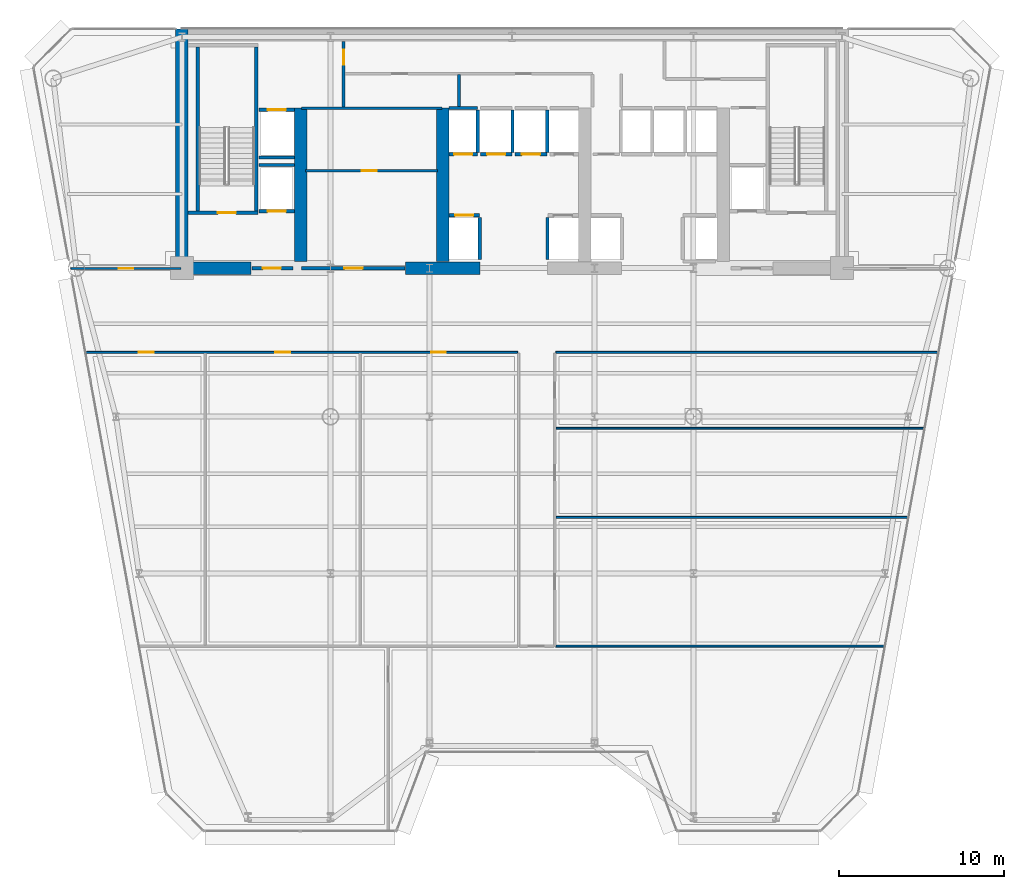
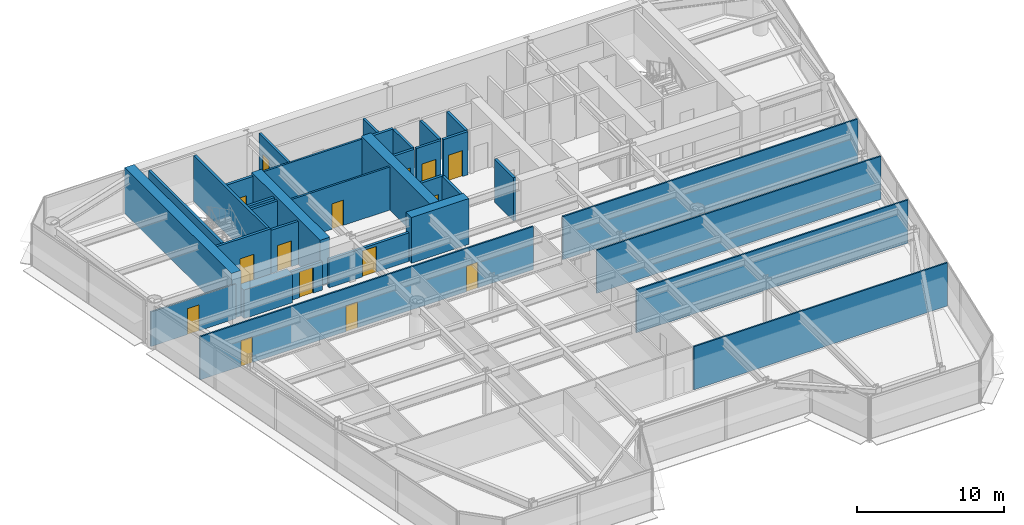
# One storey, part 8 of 14: 34 walls, 15 doors, 15 openings.
"""IFC4 building model written with IfcOpenShell, lengths in metres."""

from ifc_helpers import new_model, si_unit, direction, frame, frame_2d, origin, place, context, subcontext, project, spatial, rectangle, extrude, source, transform, mapped, material, layer, layer_set, type_object, element, fill, save


model = new_model("IFC4")

# Units and contexts
model_context = context("Model", 3, precision=1e-05, world=origin(), true_north=direction((0.0, 1.0)))
body_context = subcontext(model_context, "Body", "Model", "MODEL_VIEW")
ifc_project = project(units=[si_unit("LENGTHUNIT", "METRE"), si_unit("AREAUNIT", "SQUARE_METRE"), si_unit("VOLUMEUNIT", "CUBIC_METRE"), si_unit("PLANEANGLEUNIT", "RADIAN"), si_unit("MASSUNIT", "GRAM", prefix="KILO")], contexts=[model_context])

# Site, building, storey
site_placement = place(None, origin())
site = spatial("IfcSite", under=ifc_project, at=site_placement, CompositionType="ELEMENT")
building_placement = place(site_placement, origin())
building = spatial("IfcBuilding", under=site, at=building_placement, Name="Vaeldorn Concourse Tower", CompositionType="ELEMENT")
storey_placement = place(building_placement, frame((0.0, 0.0, 107.199951171875)))
storey = spatial("IfcBuildingStorey", under=building, at=storey_placement, Name="L27", CompositionType="ELEMENT", Elevation=107.199951171875)

# Walls
ifc_material_1 = material(Name="Concrete C60/75", Category="concrete")
ifc_layer_1 = layer(ifc_material_1, 0.75)
ifc_layer_set_1 = layer_set([ifc_layer_1], Name="Concrete C60/75")
wall_type_1 = type_object("IfcWallType", Name="WL-CORE-750", PredefinedType="SHEAR", material=ifc_layer_set_1)
wall_1_placement = place(storey_placement, frame((14.0, 36.5, 0.0), z_axis=(0.0, 0.0, 1.0), x_axis=(0.0, 1.0, 0.0)))
element("IfcWall", 1, at=wall_1_placement, inside=storey, type_object=wall_type_1, Name="Rear Core Shear Wall L27 W1", PredefinedType="SHEAR", context=body_context, shape_type="SweptSolid", body=[
    extrude(rectangle(XDim=14.5, YDim=0.75, at=frame_2d((7.25, 0.0))), origin(), (0.0, 0.0, 1.0), 3.800048828125),
])
wall_2_placement = place(storey_placement, frame((14.39501953125, 36.5, 0.0), z_axis=(0.0, 0.0, 1.0), x_axis=(1.0, 0.0, 0.0)))
element("IfcWall", 2, at=wall_2_placement, inside=storey, type_object=wall_type_1, Name="Rear Core Shear Wall L27 S1", PredefinedType="SHEAR", context=body_context, shape_type="SweptSolid", body=[
    extrude(rectangle(XDim=3.804931640625, YDim=0.75, at=frame_2d((1.90234375, 0.0))), origin(), (0.0, 0.0, 1.0), 2.380126953125),
])
wall_3_placement = place(storey_placement, frame((27.550048828125, 36.5, 0.0), z_axis=(0.0, 0.0, 1.0), x_axis=(1.0, 0.0, 0.0)))
element("IfcWall", 3, at=wall_3_placement, inside=storey, type_object=wall_type_1, Name="Rear Core Shear Wall L27 S2", PredefinedType="SHEAR", context=body_context, shape_type="SweptSolid", body=[
    extrude(rectangle(XDim=4.5, YDim=0.75, at=frame_2d((2.25, 0.0))), origin(), (0.0, 0.0, 1.0), 3.800048828125),
])
for number, where, z_axis, x_axis, name in (
    (4, (21.199951171875, 36.89501953125, 0.0), (0.0, 0.0, 1.0), (0.0, 1.0, 0.0), "Rear Core Shear Wall L27 M1"),
    (5, (29.800048828125, 36.89501953125, 0.0), (0.0, 0.0, 1.0), (0.0, 1.0, 0.0), "Rear Core Shear Wall L27 M2"),
):
    element("IfcWall", number, at=place(storey_placement, frame(where, z_axis=z_axis, x_axis=x_axis)), inside=storey, type_object=wall_type_1, Name=name, PredefinedType="SHEAR", context=body_context, shape_type="SweptSolid", body=[
        extrude(rectangle(XDim=9.304931640625, YDim=0.75, at=frame_2d((4.65234375, 0.0))), origin(), (0.0, 0.0, 1.0), 3.800048828125),
    ])

# Wall, openings, doors
ifc_material_2 = material(Name="Gypsum Board Partition", Category="gypsum")
ifc_layer_2 = layer(ifc_material_2, 0.1201171875)
ifc_layer_set_2 = layer_set([ifc_layer_2], Name="Gypsum Board Partition")
wall_type_2 = type_object("IfcWallType", Name="WL-PART-120", PredefinedType="PARTITIONING", material=ifc_layer_set_2)
wall_4_placement = place(storey_placement, frame((8.19287109375, 31.39990234375, 0.0), z_axis=(0.0, 0.0, 1.0), x_axis=(1.0, 0.0, 0.0)))
wall_4 = element("IfcWall", 6, at=wall_4_placement, inside=storey, type_object=wall_type_2, Name="Interior Wall PW-L27-C2SW", PredefinedType="PARTITIONING", context=body_context, shape_type="SweptSolid", body=[
    extrude(rectangle(XDim=26.147216796875, YDim=0.1201171875, at=frame_2d((13.07373046875, 0.0))), origin(), (0.0, 0.0, 1.0), 3.580078125),
])
opening_1_placement = place(wall_4_placement, frame((3.2041015625, 0.0, 0.0)))
opening_1 = element("IfcOpeningElement", 7, at=opening_1_placement, cuts=wall_4, Name="Opening D-03", PredefinedType="OPENING", context=body_context, shape_type="SweptSolid", body=[
    extrude(rectangle(XDim=0.89990234375, YDim=2.14990234375, at=frame_2d((0.449951171875, 1.074951171875))), frame((0.0, 0.070068359375, 0.0), z_axis=(0.0, -1.0, 0.0), x_axis=(1.0, 0.0, 0.0)), (0.0, 0.0, 1.0), 0.14013671875),
])
opening_2_placement = place(wall_4_placement, frame((11.45703125, 0.0, 0.0)))
opening_2 = element("IfcOpeningElement", 8, at=opening_2_placement, cuts=wall_4, Name="Opening D-03", PredefinedType="OPENING", context=body_context, shape_type="SweptSolid", body=[
    extrude(rectangle(XDim=0.89990234375, YDim=2.14990234375, at=frame_2d((0.449951171875, 1.074951171875))), frame((0.0, 0.070068359375, 0.0), z_axis=(0.0, -1.0, 0.0), x_axis=(1.0, 0.0, 0.0)), (0.0, 0.0, 1.0), 0.14013671875),
])
opening_3_placement = place(wall_4_placement, frame((20.906982421875, 0.0, 0.0)))
opening_3 = element("IfcOpeningElement", 9, at=opening_3_placement, cuts=wall_4, Name="Opening D-03", PredefinedType="OPENING", context=body_context, shape_type="SweptSolid", body=[
    extrude(rectangle(XDim=0.89990234375, YDim=2.14990234375, at=frame_2d((0.449951171875, 1.074951171875))), frame((0.0, 0.070068359375, 0.0), z_axis=(0.0, -1.0, 0.0), x_axis=(1.0, 0.0, 0.0)), (0.0, 0.0, 1.0), 0.14013671875),
])
ifc_material_3 = material(Name="Acoustic Bronze-Framed Glass Door", Category="glass")
door_type_1 = type_object("IfcDoorType", Name="DR-INT-900", OperationType="NOTDEFINED", PredefinedType="DOOR", material=ifc_material_3)
shared_shape_1 = source(origin(), body_context, "Body", "SweptSolid", [
    extrude(rectangle(XDim=0.89990234375, YDim=2.14990234375, at=frame_2d((0.449951171875, 1.074951171875))), frame((0.0, 0.02490234375, 0.0), z_axis=(0.0, -1.0, 0.0), x_axis=(1.0, 0.0, 0.0)), (0.0, 0.0, 1.0), 0.050048828125),
])
door_1_placement = place(opening_1_placement, origin())
door_1 = element("IfcDoor", 10, at=door_1_placement, inside=storey, type_object=door_type_1, Name="Interior Door DR-L27-Z2W1", OperationType="SINGLE_SWING_LEFT", OverallHeight=2.14990234375, OverallWidth=0.89990234375, PredefinedType="DOOR", context=body_context, shape_type="MappedRepresentation", body=[
    mapped(shared_shape_1, transform((0.0, 0.0, 0.0), scale=1.0)),
])
fill(opening_1, door_1)
door_2_placement = place(opening_2_placement, origin())
door_2 = element("IfcDoor", 11, at=door_2_placement, inside=storey, type_object=door_type_1, Name="Interior Door DR-L27-Z2W2", OperationType="SINGLE_SWING_RIGHT", OverallHeight=2.14990234375, OverallWidth=0.89990234375, PredefinedType="DOOR", context=body_context, shape_type="MappedRepresentation", body=[
    mapped(shared_shape_1, transform((0.0, 0.0, 0.0), scale=1.0)),
])
fill(opening_2, door_2)
door_3_placement = place(opening_3_placement, origin())
door_3 = element("IfcDoor", 12, at=door_3_placement, inside=storey, type_object=door_type_1, Name="Interior Door DR-L27-Z2W3", OperationType="SINGLE_SWING_LEFT", OverallHeight=2.14990234375, OverallWidth=0.89990234375, PredefinedType="DOOR", context=body_context, shape_type="MappedRepresentation", body=[
    mapped(shared_shape_1, transform((0.0, 0.0, 0.0), scale=1.0)),
])
fill(opening_3, door_3)

# Wall
wall_5_placement = place(storey_placement, frame((36.659912109375, 31.39990234375, 0.0), z_axis=(0.0, 0.0, 1.0), x_axis=(1.0, 0.0, 0.0)))
element("IfcWall", 13, at=wall_5_placement, inside=storey, type_object=wall_type_2, Name="Interior Wall PW-L27-C2SE", PredefinedType="PARTITIONING", context=body_context, shape_type="SweptSolid", body=[
    extrude(rectangle(XDim=23.147216796875, YDim=0.1201171875, at=frame_2d((11.57373046875, 0.0))), origin(), (0.0, 0.0, 1.0), 3.580078125),
])

# Wall, opening, door
wall_6_placement = place(storey_placement, frame((7.2724609375, 36.47998046875, 0.0), z_axis=(0.0, 0.0, 1.0), x_axis=(1.0, 0.0, 0.0)))
wall_6 = element("IfcWall", 14, at=wall_6_placement, inside=storey, type_object=wall_type_2, Name="Interior Wall PW-L27-NWS", PredefinedType="PARTITIONING", context=body_context, shape_type="SweptSolid", body=[
    extrude(rectangle(XDim=6.66748046875, YDim=0.1201171875, at=frame_2d((3.333740234375, 0.0))), origin(), (0.0, 0.0, 1.0), 2.8701171875),
])
opening_4_placement = place(wall_6_placement, frame((2.884033203125, 0.0, 0.0)))
opening_4 = element("IfcOpeningElement", 15, at=opening_4_placement, cuts=wall_6, Name="Opening D-03", PredefinedType="OPENING", context=body_context, shape_type="SweptSolid", body=[
    extrude(rectangle(XDim=0.89990234375, YDim=2.14990234375, at=frame_2d((0.449951171875, 1.074951171875))), frame((0.0, 0.070068359375, 0.0), z_axis=(0.0, -1.0, 0.0), x_axis=(1.0, 0.0, 0.0)), (0.0, 0.0, 1.0), 0.14013671875),
])
door_4_placement = place(opening_4_placement, origin())
door_4 = element("IfcDoor", 16, at=door_4_placement, inside=storey, type_object=door_type_1, Name="Interior Door DR-L27-NWC", OperationType="SINGLE_SWING_LEFT", OverallHeight=2.14990234375, OverallWidth=0.89990234375, PredefinedType="DOOR", context=body_context, shape_type="MappedRepresentation", body=[
    mapped(shared_shape_1, transform((0.0, 0.0, 0.0), scale=1.0)),
])
fill(opening_4, door_4)

# Walls
wall_7_placement = place(storey_placement, frame((36.659912109375, 13.60009765625, 0.0), z_axis=(0.0, 0.0, 1.0), x_axis=(1.0, 0.0, 0.0)))
element("IfcWall", 17, at=wall_7_placement, inside=storey, type_object=wall_type_2, Name="Interior Wall PW-L27-S2EL", PredefinedType="PARTITIONING", context=body_context, shape_type="SweptSolid", body=[
    extrude(rectangle(XDim=19.9033203125, YDim=0.1201171875, at=frame_2d((9.95166015625, 0.0))), origin(), (0.0, 0.0, 1.0), 3.580078125),
])
wall_8_placement = place(storey_placement, frame((36.659912109375, 21.39990234375, 0.0), z_axis=(0.0, 0.0, 1.0), x_axis=(1.0, 0.0, 0.0)))
element("IfcWall", 18, at=wall_8_placement, inside=storey, type_object=wall_type_2, Name="Interior Wall PW-L27-Z2EY1", PredefinedType="PARTITIONING", context=body_context, shape_type="SweptSolid", body=[
    extrude(rectangle(XDim=21.32470703125, YDim=0.1201171875, at=frame_2d((10.662353515625, 0.0))), origin(), (0.0, 0.0, 1.0), 3.580078125),
])
wall_9_placement = place(storey_placement, frame((36.659912109375, 26.800048828125, 0.0), z_axis=(0.0, 0.0, 1.0), x_axis=(1.0, 0.0, 0.0)))
element("IfcWall", 19, at=wall_9_placement, inside=storey, type_object=wall_type_2, Name="Interior Wall PW-L27-Z2EY2", PredefinedType="PARTITIONING", context=body_context, shape_type="SweptSolid", body=[
    extrude(rectangle(XDim=22.308837890625, YDim=0.1201171875, at=frame_2d((11.154296875, 0.0))), origin(), (0.0, 0.0, 1.0), 3.580078125),
])
ifc_layer_3 = layer(ifc_material_2, 0.14990234375)
ifc_layer_set_3 = layer_set([ifc_layer_3], Name="Gypsum Board Partition")
wall_type_3 = type_object("IfcWallType", Name="WL-PART-150", PredefinedType="PARTITIONING", material=ifc_layer_set_3)
wall_10_placement = place(storey_placement, frame((21.25, 46.199951171875, 0.0), z_axis=(0.0, 0.0, 1.0), x_axis=(1.0, 0.0, 0.0)))
element("IfcWall", 20, at=wall_10_placement, inside=storey, type_object=wall_type_3, Name="Interior Wall CW-L27-R1N", PredefinedType="PARTITIONING", context=body_context, shape_type="SweptSolid", body=[
    extrude(rectangle(XDim=8.5, YDim=0.14990234375, at=frame_2d((4.25, 0.0))), origin(), (0.0, 0.0, 1.0), 3.580078125),
])

# Wall, opening, door
wall_11_placement = place(storey_placement, frame((21.5, 42.39990234375, 0.0), z_axis=(0.0, 0.0, 1.0), x_axis=(1.0, 0.0, 0.0)))
wall_11 = element("IfcWall", 21, at=wall_11_placement, inside=storey, type_object=wall_type_3, Name="Interior Wall CW-L27-R1M", PredefinedType="PARTITIONING", context=body_context, shape_type="SweptSolid", body=[
    extrude(rectangle(XDim=8.0, YDim=0.14990234375, at=frame_2d((4.0, 0.0))), origin(), (0.0, 0.0, 1.0), 3.580078125),
])
opening_5_placement = place(wall_11_placement, frame((3.39990234375, 0.0, 0.0)))
opening_5 = element("IfcOpeningElement", 22, at=opening_5_placement, cuts=wall_11, Name="Opening D-02", PredefinedType="OPENING", context=body_context, shape_type="SweptSolid", body=[
    extrude(rectangle(XDim=0.89990234375, YDim=2.10009765625, at=frame_2d((0.449951171875, 1.050048828125))), frame((0.0, 0.0849609375, 0.0), z_axis=(0.0, -1.0, 0.0), x_axis=(1.0, 0.0, 0.0)), (0.0, 0.0, 1.0), 0.169921875),
])
ifc_material_4 = material(Name="Fire-Rated Timber Leaf", Category="wood")
door_type_2 = type_object("IfcDoorType", Name="DR-FD30-900", OperationType="NOTDEFINED", PredefinedType="DOOR", material=ifc_material_4)
shared_shape_2 = source(origin(), body_context, "Body", "SweptSolid", [
    extrude(rectangle(XDim=0.89990234375, YDim=2.10009765625, at=frame_2d((0.449951171875, 1.050048828125))), frame((0.0, 0.02490234375, 0.0), z_axis=(0.0, -1.0, 0.0), x_axis=(1.0, 0.0, 0.0)), (0.0, 0.0, 1.0), 0.050048828125),
])
door_5_placement = place(opening_5_placement, origin())
door_5 = element("IfcDoor", 23, at=door_5_placement, inside=storey, type_object=door_type_2, Name="Interior Door DR-L27-R1M", OperationType="SINGLE_SWING_RIGHT", OverallHeight=2.10009765625, OverallWidth=0.89990234375, PredefinedType="DOOR", context=body_context, shape_type="MappedRepresentation", body=[
    mapped(shared_shape_2, transform((0.0, 0.0, 0.0), scale=1.0)),
])
fill(opening_5, door_5)

ifc_layer_4 = layer(ifc_material_2, 0.179931640625)
ifc_layer_set_4 = layer_set([ifc_layer_4], Name="Gypsum Board Partition")
wall_type_4 = type_object("IfcWallType", Name="WL-PLUMB-180", PredefinedType="PLUMBINGWALL", material=ifc_layer_set_4)
wall_12_placement = place(storey_placement, frame((23.800048828125, 46.280029296875, 0.0), z_axis=(0.0, 0.0, 1.0), x_axis=(0.0, 1.0, 0.0)))
wall_12 = element("IfcWall", 24, at=wall_12_placement, inside=storey, type_object=wall_type_4, Name="Interior Wall CW-L27-SDIV1", PredefinedType="PLUMBINGWALL", context=body_context, shape_type="SweptSolid", body=[
    extrude(rectangle(XDim=3.949951171875, YDim=0.179931640625, at=frame_2d((1.97509765625, 0.0))), origin(), (0.0, 0.0, 1.0), 3.580078125),
])
opening_6_placement = place(wall_12_placement, frame((2.56005859375, 0.0, 0.0)))
opening_6 = element("IfcOpeningElement", 25, at=opening_6_placement, cuts=wall_12, Name="Opening D-03", PredefinedType="OPENING", context=body_context, shape_type="SweptSolid", body=[
    extrude(rectangle(XDim=0.89990234375, YDim=2.14990234375, at=frame_2d((0.449951171875, 1.074951171875))), frame((0.0, 0.10009765625, 0.0), z_axis=(0.0, -1.0, 0.0), x_axis=(1.0, 0.0, 0.0)), (0.0, 0.0, 1.0), 0.199951171875),
])
door_6_placement = place(opening_6_placement, origin())
door_6 = element("IfcDoor", 26, at=door_6_placement, inside=storey, type_object=door_type_1, Name="Interior Door DR-L27-CS1", OperationType="SINGLE_SWING_LEFT", OverallHeight=2.14990234375, OverallWidth=0.89990234375, PredefinedType="DOOR", context=body_context, shape_type="MappedRepresentation", body=[
    mapped(shared_shape_1, transform((0.0, 0.0, 0.0), scale=1.0)),
])
fill(opening_6, door_6)

# Wall
wall_13_placement = place(storey_placement, frame((30.800048828125, 46.280029296875, 0.0), z_axis=(0.0, 0.0, 1.0), x_axis=(0.0, 1.0, 0.0)))
element("IfcWall", 27, at=wall_13_placement, inside=storey, type_object=wall_type_4, Name="Interior Wall CW-L27-SDIV2", PredefinedType="PLUMBINGWALL", context=body_context, shape_type="SweptSolid", body=[
    extrude(rectangle(XDim=1.93994140625, YDim=0.179931640625, at=frame_2d((0.969970703125, 0.0))), origin(), (0.0, 0.0, 1.0), 3.580078125),
])

# Wall, opening, door
ifc_material_5 = material(Name="Concrete C50/60", Category="concrete")
ifc_layer_5 = layer(ifc_material_5, 0.199951171875)
ifc_layer_set_5 = layer_set([ifc_layer_5], Name="Concrete C50/60")
wall_type_5 = type_object("IfcWallType", Name="WL-SHAFT-200", PredefinedType="SOLIDWALL", material=ifc_layer_set_5)
wall_14_placement = place(storey_placement, frame((14.375, 39.85009765625, 0.0), z_axis=(0.0, 0.0, 1.0), x_axis=(1.0, 0.0, 0.0)))
wall_14 = element("IfcWall", 28, at=wall_14_placement, inside=storey, type_object=wall_type_5, Name="Stair Shaft Wall CW-L27-ST-1-S", PredefinedType="SOLIDWALL", context=body_context, shape_type="SweptSolid", body=[
    extrude(rectangle(XDim=4.22509765625, YDim=0.199951171875, at=frame_2d((2.112548828125, 0.0))), origin(), (0.0, 0.0, 1.0), 3.800048828125),
])
opening_7_placement = place(wall_14_placement, frame((1.800048828125, 0.0, 0.0)))
opening_7 = element("IfcOpeningElement", 29, at=opening_7_placement, cuts=wall_14, Name="Opening D-01", PredefinedType="OPENING", context=body_context, shape_type="SweptSolid", body=[
    extrude(rectangle(XDim=1.10009765625, YDim=2.14990234375, at=frame_2d((0.550048828125, 1.074951171875))), frame((0.0, 0.10986328125, 0.0), z_axis=(0.0, -1.0, 0.0), x_axis=(1.0, 0.0, 0.0)), (0.0, 0.0, 1.0), 0.219970703125),
])
ifc_material_6 = material(Name="Fire-Rated Timber and Steel Leaf", Category="steel")
door_type_3 = type_object("IfcDoorType", Name="DR-FD60-1100", OperationType="NOTDEFINED", PredefinedType="DOOR", material=ifc_material_6)
shared_shape_3 = source(origin(), body_context, "Body", "SweptSolid", [
    extrude(rectangle(XDim=1.10009765625, YDim=2.14990234375, at=frame_2d((0.550048828125, 1.074951171875))), frame((0.0, 0.02490234375, 0.0), z_axis=(0.0, -1.0, 0.0), x_axis=(1.0, 0.0, 0.0)), (0.0, 0.0, 1.0), 0.050048828125),
])
door_7_placement = place(opening_7_placement, origin())
door_7 = element("IfcDoor", 30, at=door_7_placement, inside=storey, type_object=door_type_3, Name="Interior Door DR-L27-ST-1", OperationType="SINGLE_SWING_LEFT", OverallHeight=2.14990234375, OverallWidth=1.10009765625, PredefinedType="DOOR", context=body_context, shape_type="MappedRepresentation", body=[
    mapped(shared_shape_3, transform((0.0, 0.0, 0.0), scale=1.0)),
])
fill(opening_7, door_7)

# Walls
for number, where, z_axis, x_axis, name in (
    (31, (14.949951171875, 39.9599609375, 0.0), (0.0, 0.0, 1.0), (0.0, 1.0, 0.0), "Stair Shaft Wall CW-L27-ST-1-W"),
    (32, (18.5, 39.9599609375, 0.0), (0.0, 0.0, 1.0), (0.0, 1.0, 0.0), "Stair Shaft Wall CW-L27-ST-1-E"),
):
    element("IfcWall", number, at=place(storey_placement, frame(where, z_axis=z_axis, x_axis=x_axis)), inside=storey, type_object=wall_type_5, Name=name, PredefinedType="SOLIDWALL", context=body_context, shape_type="SweptSolid", body=[
        extrude(rectangle(XDim=9.929931640625, YDim=0.199951171875, at=frame_2d((4.96484375, 0.0))), origin(), (0.0, 0.0, 1.0), 3.800048828125),
    ])

# Wall, opening, door
wall_15_placement = place(storey_placement, frame((18.25, 36.5, 0.0), z_axis=(0.0, 0.0, 1.0), x_axis=(1.0, 0.0, 0.0)))
wall_15 = element("IfcWall", 33, at=wall_15_placement, inside=storey, type_object=wall_type_5, Name="Interior Wall CW-L27-FF1S", PredefinedType="SOLIDWALL", context=body_context, shape_type="SweptSolid", body=[
    extrude(rectangle(XDim=2.469970703125, YDim=0.199951171875, at=frame_2d((1.23486328125, 0.0))), origin(), (0.0, 0.0, 1.0), 2.3701171875),
])
opening_8_placement = place(wall_15_placement, frame((0.64990234375, 0.0, 0.0)))
opening_8 = element("IfcOpeningElement", 34, at=opening_8_placement, cuts=wall_15, Name="Opening D-01", PredefinedType="OPENING", context=body_context, shape_type="SweptSolid", body=[
    extrude(rectangle(XDim=1.10009765625, YDim=2.14990234375, at=frame_2d((0.550048828125, 1.074951171875))), frame((0.0, 0.10986328125, 0.0), z_axis=(0.0, -1.0, 0.0), x_axis=(1.0, 0.0, 0.0)), (0.0, 0.0, 1.0), 0.219970703125),
])
door_8_placement = place(opening_8_placement, origin())
door_8 = element("IfcDoor", 35, at=door_8_placement, inside=storey, type_object=door_type_3, Name="Interior Door DR-L27-FF1E", OperationType="SINGLE_SWING_RIGHT", OverallHeight=2.14990234375, OverallWidth=1.10009765625, PredefinedType="DOOR", context=body_context, shape_type="MappedRepresentation", body=[
    mapped(shared_shape_3, transform((0.0, 0.0, 0.0), scale=1.0)),
])
fill(opening_8, door_8)

wall_16_placement = place(storey_placement, frame((30.18505859375, 39.699951171875, 0.0), z_axis=(0.0, 0.0, 1.0), x_axis=(1.0, 0.0, 0.0)))
wall_16 = element("IfcWall", 36, at=wall_16_placement, inside=storey, type_object=wall_type_5, Name="Interior Wall CW-L27-LF-LF-07", PredefinedType="SOLIDWALL", context=body_context, shape_type="SweptSolid", body=[
    extrude(rectangle(XDim=1.844970703125, YDim=0.199951171875, at=frame_2d((0.92236328125, 0.0))), origin(), (0.0, 0.0, 1.0), 3.580078125),
])
opening_9_placement = place(wall_16_placement, frame((0.373046875, 0.0, 0.0)))
opening_9 = element("IfcOpeningElement", 37, at=opening_9_placement, cuts=wall_16, Name="Opening LD-1", PredefinedType="OPENING", context=body_context, shape_type="SweptSolid", body=[
    extrude(rectangle(XDim=1.10009765625, YDim=2.14990234375, at=frame_2d((0.550048828125, 1.074951171875))), frame((0.0, 0.10986328125, 0.0), z_axis=(0.0, -1.0, 0.0), x_axis=(1.0, 0.0, 0.0)), (0.0, 0.0, 1.0), 0.219970703125),
])
ifc_material_7 = material(Name="Anodised Bronze Aluminium", Category="aluminium")
door_type_4 = type_object("IfcDoorType", Name="DR-LIFT-SLIDE-1100", OperationType="DOUBLE_DOOR_SLIDING", PredefinedType="DOOR", material=ifc_material_7)
door_9_placement = place(opening_9_placement, origin())
door_9 = element("IfcDoor", 38, at=door_9_placement, inside=storey, type_object=door_type_4, Name="Lift Landing Door LD-L27-LF-07", OperationType="DOUBLE_DOOR_SLIDING", OverallHeight=2.14990234375, OverallWidth=1.10009765625, PredefinedType="DOOR", context=body_context, shape_type="MappedRepresentation", body=[
    mapped(shared_shape_3, transform((0.0, 0.0, 0.0), scale=1.0)),
])
fill(opening_9, door_9)

# Walls
for number, where, z_axis, x_axis, name in (
    (39, (32.050048828125, 37.02001953125, 0.0), (0.0, 0.0, 1.0), (0.0, 1.0, 0.0), "Interior Wall CW-L27-LFE-LF-07"),
    (40, (36.14990234375, 37.02001953125, 0.0), (0.0, 0.0, 1.0), (0.0, 1.0, 0.0), "Interior Wall CW-L27-LFW-LF-08"),
):
    element("IfcWall", number, at=place(storey_placement, frame(where, z_axis=z_axis, x_axis=x_axis)), inside=storey, type_object=wall_type_5, Name=name, PredefinedType="SOLIDWALL", context=body_context, shape_type="SweptSolid", body=[
        extrude(rectangle(XDim=2.56005859375, YDim=0.199951171875, at=frame_2d((1.280029296875, 0.0))), origin(), (0.0, 0.0, 1.0), 3.580078125),
    ])

# Wall, opening, door
wall_17_placement = place(storey_placement, frame((30.18505859375, 43.39990234375, 0.0), z_axis=(0.0, 0.0, 1.0), x_axis=(1.0, 0.0, 0.0)))
wall_17 = element("IfcWall", 41, at=wall_17_placement, inside=storey, type_object=wall_type_5, Name="Interior Wall CW-L27-LF-LF-09", PredefinedType="SOLIDWALL", context=body_context, shape_type="SweptSolid", body=[
    extrude(rectangle(XDim=1.724853515625, YDim=0.199951171875, at=frame_2d((0.8623046875, 0.0))), origin(), (0.0, 0.0, 1.0), 3.580078125),
])
opening_10_placement = place(wall_17_placement, frame((0.31298828125, 0.0, 0.0)))
opening_10 = element("IfcOpeningElement", 42, at=opening_10_placement, cuts=wall_17, Name="Opening LD-1", PredefinedType="OPENING", context=body_context, shape_type="SweptSolid", body=[
    extrude(rectangle(XDim=1.10009765625, YDim=2.14990234375, at=frame_2d((0.550048828125, 1.074951171875))), frame((0.0, 0.10986328125, 0.0), z_axis=(0.0, -1.0, 0.0), x_axis=(1.0, 0.0, 0.0)), (0.0, 0.0, 1.0), 0.219970703125),
])
door_10_placement = place(opening_10_placement, origin())
door_10 = element("IfcDoor", 43, at=door_10_placement, inside=storey, type_object=door_type_4, Name="Lift Landing Door LD-L27-LF-09", OperationType="DOUBLE_DOOR_SLIDING", OverallHeight=2.14990234375, OverallWidth=1.10009765625, PredefinedType="DOOR", context=body_context, shape_type="MappedRepresentation", body=[
    mapped(shared_shape_3, transform((0.0, 0.0, 0.0), scale=1.0)),
])
fill(opening_10, door_10)

# Walls
wall_18_placement = place(storey_placement, frame((30.18505859375, 46.199951171875, 0.0), z_axis=(0.0, 0.0, 1.0), x_axis=(1.0, 0.0, 0.0)))
element("IfcWall", 44, at=wall_18_placement, inside=storey, type_object=wall_type_5, Name="Interior Wall CW-L27-LFB-LF-09", PredefinedType="SOLIDWALL", context=body_context, shape_type="SweptSolid", body=[
    extrude(rectangle(XDim=1.724853515625, YDim=0.199951171875, at=frame_2d((0.8623046875, 0.0))), origin(), (0.0, 0.0, 1.0), 3.580078125),
])
wall_19_placement = place(storey_placement, frame((31.929931640625, 43.52001953125, 0.0), z_axis=(0.0, 0.0, 1.0), x_axis=(0.0, 1.0, 0.0)))
element("IfcWall", 45, at=wall_19_placement, inside=storey, type_object=wall_type_5, Name="Interior Wall CW-L27-LFE-LF-09", PredefinedType="SOLIDWALL", context=body_context, shape_type="SweptSolid", body=[
    extrude(rectangle(XDim=2.56005859375, YDim=0.199951171875, at=frame_2d((1.280029296875, 0.0))), origin(), (0.0, 0.0, 1.0), 3.580078125),
])

# Wall, opening, door
wall_20_placement = place(storey_placement, frame((32.090087890625, 43.39990234375, 0.0), z_axis=(0.0, 0.0, 1.0), x_axis=(1.0, 0.0, 0.0)))
wall_20 = element("IfcWall", 46, at=wall_20_placement, inside=storey, type_object=wall_type_5, Name="Interior Wall CW-L27-LF-LF-10", PredefinedType="SOLIDWALL", context=body_context, shape_type="SweptSolid", body=[
    extrude(rectangle(XDim=1.919921875, YDim=0.199951171875, at=frame_2d((0.9599609375, 0.0))), origin(), (0.0, 0.0, 1.0), 3.580078125),
])
opening_11_placement = place(wall_20_placement, frame((0.409912109375, 0.0, 0.0)))
opening_11 = element("IfcOpeningElement", 47, at=opening_11_placement, cuts=wall_20, Name="Opening LD-1", PredefinedType="OPENING", context=body_context, shape_type="SweptSolid", body=[
    extrude(rectangle(XDim=1.10009765625, YDim=2.14990234375, at=frame_2d((0.550048828125, 1.074951171875))), frame((0.0, 0.10986328125, 0.0), z_axis=(0.0, -1.0, 0.0), x_axis=(1.0, 0.0, 0.0)), (0.0, 0.0, 1.0), 0.219970703125),
])
door_11_placement = place(opening_11_placement, origin())
door_11 = element("IfcDoor", 48, at=door_11_placement, inside=storey, type_object=door_type_4, Name="Lift Landing Door LD-L27-LF-10", OperationType="DOUBLE_DOOR_SLIDING", OverallHeight=2.14990234375, OverallWidth=1.10009765625, PredefinedType="DOOR", context=body_context, shape_type="MappedRepresentation", body=[
    mapped(shared_shape_3, transform((0.0, 0.0, 0.0), scale=1.0)),
])
fill(opening_11, door_11)

# Wall
wall_21_placement = place(storey_placement, frame((34.030029296875, 43.52001953125, 0.0), z_axis=(0.0, 0.0, 1.0), x_axis=(0.0, 1.0, 0.0)))
element("IfcWall", 49, at=wall_21_placement, inside=storey, type_object=wall_type_5, Name="Interior Wall CW-L27-LFE-LF-10", PredefinedType="SOLIDWALL", context=body_context, shape_type="SweptSolid", body=[
    extrude(rectangle(XDim=2.56005859375, YDim=0.199951171875, at=frame_2d((1.280029296875, 0.0))), origin(), (0.0, 0.0, 1.0), 3.580078125),
])

# Wall, opening, door
wall_22_placement = place(storey_placement, frame((34.18994140625, 43.39990234375, 0.0), z_axis=(0.0, 0.0, 1.0), x_axis=(1.0, 0.0, 0.0)))
wall_22 = element("IfcWall", 50, at=wall_22_placement, inside=storey, type_object=wall_type_5, Name="Interior Wall CW-L27-LF-LF-11", PredefinedType="SOLIDWALL", context=body_context, shape_type="SweptSolid", body=[
    extrude(rectangle(XDim=1.920166015625, YDim=0.199951171875, at=frame_2d((0.9599609375, 0.0))), origin(), (0.0, 0.0, 1.0), 3.580078125),
])
opening_12_placement = place(wall_22_placement, frame((0.409912109375, 0.0, 0.0)))
opening_12 = element("IfcOpeningElement", 51, at=opening_12_placement, cuts=wall_22, Name="Opening LD-1", PredefinedType="OPENING", context=body_context, shape_type="SweptSolid", body=[
    extrude(rectangle(XDim=1.10009765625, YDim=2.14990234375, at=frame_2d((0.550048828125, 1.074951171875))), frame((0.0, 0.10986328125, 0.0), z_axis=(0.0, -1.0, 0.0), x_axis=(1.0, 0.0, 0.0)), (0.0, 0.0, 1.0), 0.219970703125),
])
door_12_placement = place(opening_12_placement, origin())
door_12 = element("IfcDoor", 52, at=door_12_placement, inside=storey, type_object=door_type_4, Name="Lift Landing Door LD-L27-LF-11", OperationType="DOUBLE_DOOR_SLIDING", OverallHeight=2.14990234375, OverallWidth=1.10009765625, PredefinedType="DOOR", context=body_context, shape_type="MappedRepresentation", body=[
    mapped(shared_shape_3, transform((0.0, 0.0, 0.0), scale=1.0)),
])
fill(opening_12, door_12)

# Wall
wall_23_placement = place(storey_placement, frame((36.1298828125, 43.52001953125, 0.0), z_axis=(0.0, 0.0, 1.0), x_axis=(0.0, 1.0, 0.0)))
element("IfcWall", 53, at=wall_23_placement, inside=storey, type_object=wall_type_5, Name="Interior Wall CW-L27-LFE-LF-11", PredefinedType="SOLIDWALL", context=body_context, shape_type="SweptSolid", body=[
    extrude(rectangle(XDim=2.56005859375, YDim=0.199951171875, at=frame_2d((1.280029296875, 0.0))), origin(), (0.0, 0.0, 1.0), 3.580078125),
])

# Wall, opening, door
wall_24_placement = place(storey_placement, frame((18.669921875, 46.10009765625, 0.0), z_axis=(0.0, 0.0, 1.0), x_axis=(1.0, 0.0, 0.0)))
wall_24 = element("IfcWall", 54, at=wall_24_placement, inside=storey, type_object=wall_type_5, Name="Interior Wall CW-L27-LF-LF-SV1", PredefinedType="SOLIDWALL", context=body_context, shape_type="SweptSolid", body=[
    extrude(rectangle(XDim=2.14501953125, YDim=0.199951171875, at=frame_2d((1.072509765625, 0.0))), origin(), (0.0, 0.0, 1.0), 3.580078125),
])
opening_13_placement = place(wall_24_placement, frame((0.52197265625, 0.0, 0.0)))
opening_13 = element("IfcOpeningElement", 55, at=opening_13_placement, cuts=wall_24, Name="Opening LD-1", PredefinedType="OPENING", context=body_context, shape_type="SweptSolid", body=[
    extrude(rectangle(XDim=1.10009765625, YDim=2.14990234375, at=frame_2d((0.550048828125, 1.074951171875))), frame((0.0, 0.10986328125, 0.0), z_axis=(0.0, -1.0, 0.0), x_axis=(1.0, 0.0, 0.0)), (0.0, 0.0, 1.0), 0.219970703125),
])
door_13_placement = place(opening_13_placement, origin())
door_13 = element("IfcDoor", 56, at=door_13_placement, inside=storey, type_object=door_type_4, Name="Lift Landing Door LD-L27-LF-SV1", OperationType="DOUBLE_DOOR_SLIDING", OverallHeight=2.14990234375, OverallWidth=1.10009765625, PredefinedType="DOOR", context=body_context, shape_type="MappedRepresentation", body=[
    mapped(shared_shape_3, transform((0.0, 0.0, 0.0), scale=1.0)),
])
fill(opening_13, door_13)

# Wall
wall_25_placement = place(storey_placement, frame((18.669921875, 43.199951171875, 0.0), z_axis=(0.0, 0.0, 1.0), x_axis=(1.0, 0.0, 0.0)))
element("IfcWall", 57, at=wall_25_placement, inside=storey, type_object=wall_type_5, Name="Interior Wall CW-L27-LFB-LF-SV1", PredefinedType="SOLIDWALL", context=body_context, shape_type="SweptSolid", body=[
    extrude(rectangle(XDim=2.14501953125, YDim=0.199951171875, at=frame_2d((1.072509765625, 0.0))), origin(), (0.0, 0.0, 1.0), 3.580078125),
])

# Wall, opening, door
wall_26_placement = place(storey_placement, frame((18.669921875, 39.949951171875, 0.0), z_axis=(0.0, 0.0, 1.0), x_axis=(1.0, 0.0, 0.0)))
wall_26 = element("IfcWall", 58, at=wall_26_placement, inside=storey, type_object=wall_type_5, Name="Interior Wall CW-L27-LF-LF-FF1", PredefinedType="SOLIDWALL", context=body_context, shape_type="SweptSolid", body=[
    extrude(rectangle(XDim=2.14501953125, YDim=0.199951171875, at=frame_2d((1.072509765625, 0.0))), origin(), (0.0, 0.0, 1.0), 3.580078125),
])
opening_14_placement = place(wall_26_placement, frame((0.52197265625, 0.0, 0.0)))
opening_14 = element("IfcOpeningElement", 59, at=opening_14_placement, cuts=wall_26, Name="Opening LD-1", PredefinedType="OPENING", context=body_context, shape_type="SweptSolid", body=[
    extrude(rectangle(XDim=1.10009765625, YDim=2.14990234375, at=frame_2d((0.550048828125, 1.074951171875))), frame((0.0, 0.10986328125, 0.0), z_axis=(0.0, -1.0, 0.0), x_axis=(1.0, 0.0, 0.0)), (0.0, 0.0, 1.0), 0.219970703125),
])
door_14_placement = place(opening_14_placement, origin())
door_14 = element("IfcDoor", 60, at=door_14_placement, inside=storey, type_object=door_type_4, Name="Lift Landing Door LD-L27-LF-FF1", OperationType="DOUBLE_DOOR_SLIDING", OverallHeight=2.14990234375, OverallWidth=1.10009765625, PredefinedType="DOOR", context=body_context, shape_type="MappedRepresentation", body=[
    mapped(shared_shape_3, transform((0.0, 0.0, 0.0), scale=1.0)),
])
fill(opening_14, door_14)

# Wall
wall_27_placement = place(storey_placement, frame((18.669921875, 42.75, 0.0), z_axis=(0.0, 0.0, 1.0), x_axis=(1.0, 0.0, 0.0)))
element("IfcWall", 61, at=wall_27_placement, inside=storey, type_object=wall_type_5, Name="Interior Wall CW-L27-LFB-LF-FF1", PredefinedType="SOLIDWALL", context=body_context, shape_type="SweptSolid", body=[
    extrude(rectangle(XDim=2.14501953125, YDim=0.199951171875, at=frame_2d((1.072509765625, 0.0))), origin(), (0.0, 0.0, 1.0), 3.580078125),
])

# Wall, opening, door
wall_28_placement = place(storey_placement, frame((21.25, 36.5, 0.0), z_axis=(0.0, 0.0, 1.0), x_axis=(1.0, 0.0, 0.0)))
wall_28 = element("IfcWall", 62, at=wall_28_placement, inside=storey, type_object=wall_type_5, Name="Interior Wall CW-L27-R1S", PredefinedType="SOLIDWALL", context=body_context, shape_type="SweptSolid", body=[
    extrude(rectangle(XDim=6.27001953125, YDim=0.199951171875, at=frame_2d((3.135009765625, 0.0))), origin(), (0.0, 0.0, 1.0), 2.3701171875),
])
opening_15_placement = place(wall_28_placement, frame((2.60009765625, 0.0, 0.0)))
opening_15 = element("IfcOpeningElement", 63, at=opening_15_placement, cuts=wall_28, Name="Opening D-01", PredefinedType="OPENING", context=body_context, shape_type="SweptSolid", body=[
    extrude(rectangle(XDim=1.10009765625, YDim=2.14990234375, at=frame_2d((0.550048828125, 1.074951171875))), frame((0.0, 0.10986328125, 0.0), z_axis=(0.0, -1.0, 0.0), x_axis=(1.0, 0.0, 0.0)), (0.0, 0.0, 1.0), 0.219970703125),
])
door_15_placement = place(opening_15_placement, origin())
door_15 = element("IfcDoor", 64, at=door_15_placement, inside=storey, type_object=door_type_3, Name="Interior Door DR-L27-R1S", OperationType="SINGLE_SWING_LEFT", OverallHeight=2.14990234375, OverallWidth=1.10009765625, PredefinedType="DOOR", context=body_context, shape_type="MappedRepresentation", body=[
    mapped(shared_shape_3, transform((0.0, 0.0, 0.0), scale=1.0)),
])
fill(opening_15, door_15)

save(model, "model.ifc")
